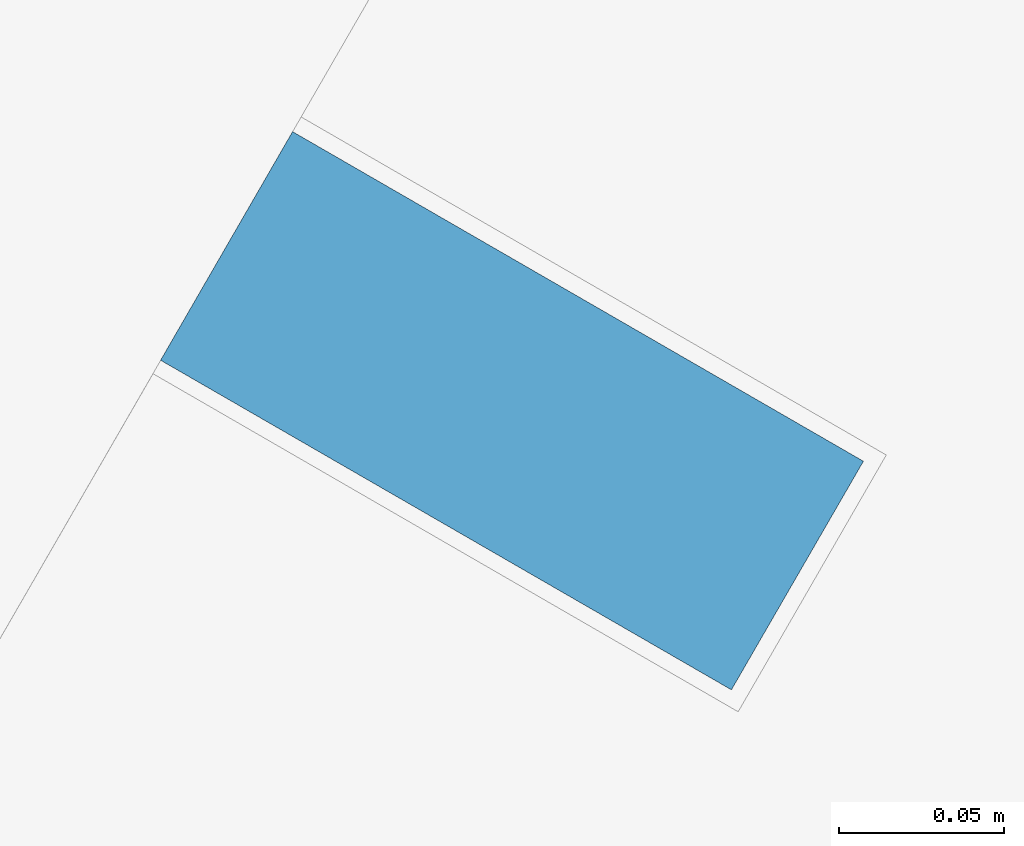
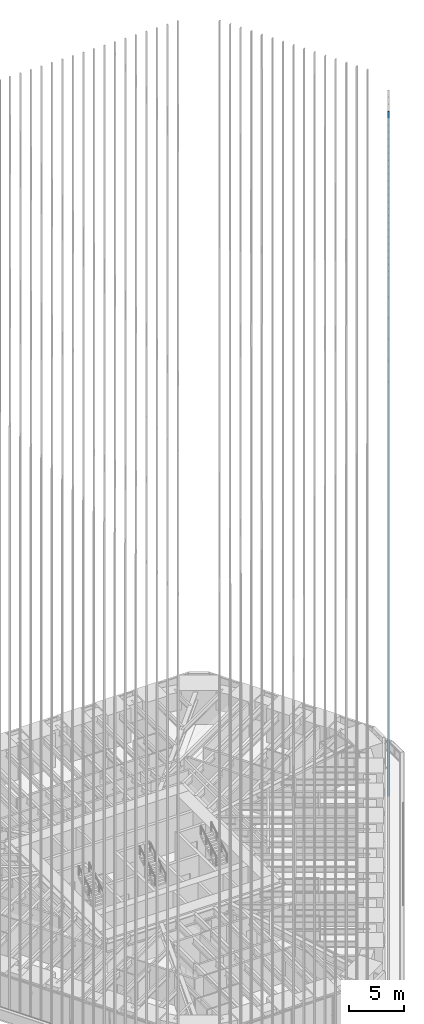
# One storey, part 118 of 238: 1 member, 1 element without a shape of its own.
"""IFC4 building model written with IfcOpenShell, lengths in metres."""

from ifc_helpers import new_model, si_unit, direction, frame, origin, origin_2d, place, context, subcontext, project, spatial, rectangle, extrude, material, material_profile, profile_set, type_object, element, aggregate, save


model = new_model("IFC4")

# Units and contexts
model_context = context("Model", 3, precision=1e-05, world=origin(), true_north=direction((0.0, 1.0)))
body_context = subcontext(model_context, "Body", "Model", "MODEL_VIEW")
ifc_project = project(units=[si_unit("LENGTHUNIT", "METRE"), si_unit("AREAUNIT", "SQUARE_METRE"), si_unit("VOLUMEUNIT", "CUBIC_METRE"), si_unit("PLANEANGLEUNIT", "RADIAN"), si_unit("MASSUNIT", "GRAM", prefix="KILO")], contexts=[model_context])

# Site, building, storey
site_placement = place(None, origin())
site = spatial("IfcSite", under=ifc_project, at=site_placement, CompositionType="ELEMENT")
building_placement = place(site_placement, origin())
building = spatial("IfcBuilding", under=site, at=building_placement, Name="Sandreach Pilgrim Tower", CompositionType="ELEMENT")
storey_placement = place(building_placement, frame((0.0, 0.0, 96.800048828125)))
storey = spatial("IfcBuildingStorey", under=building, at=storey_placement, Name="L23", CompositionType="ELEMENT", Elevation=96.800048828125)

# Curtain wall, member
ifc_material_1 = material(Name="Aluminium framed curtain wall", Category="aluminium")
curtain_wall_type = type_object("IfcCurtainWallType", Name="Hotel tower curtain wall", PredefinedType="NOTDEFINED", material=ifc_material_1)
curtain_wall_placement = place(storey_placement, origin())
curtain_wall = element("IfcCurtainWall", 1, at=curtain_wall_placement, inside=storey, type_object=curtain_wall_type, Name="CW-2 L23 SE", PredefinedType="NOTDEFINED")
ifc_material_2 = material(Name="Extruded terracotta on aluminium core", Category="masonry")
ifc_material_profile = material_profile(ifc_material_2, rectangle(XDim=0.080078125, YDim=0.199951171875, at=origin_2d()), Name="TBE 80X200")
ifc_profile_set = profile_set([ifc_material_profile], Name="Extruded terracotta on aluminium core")
member_type = type_object("IfcMemberType", Name="Terracotta baguette east", PredefinedType="USERDEFINED", material=ifc_profile_set)
member_placement = place(storey_placement, frame((26.981201171875, 0.9453125, 0.0), z_axis=(0.0, 0.0, 1.0), x_axis=(-0.5, -0.866025403784, 0.0)))
member = element("IfcMember", 2, at=member_placement, type_object=member_type, Name="Baguette Z2 SE04", ObjectType="BAGUETTE", PredefinedType="USERDEFINED", context=body_context, shape_type="SweptSolid", body=[
    extrude(rectangle(XDim=0.080078125, YDim=0.199951171875, at=origin_2d()), origin(), (0.0, 0.0, 1.0), 75.83984375),
])
aggregate(curtain_wall, [member])

save(model, "model.ifc")
